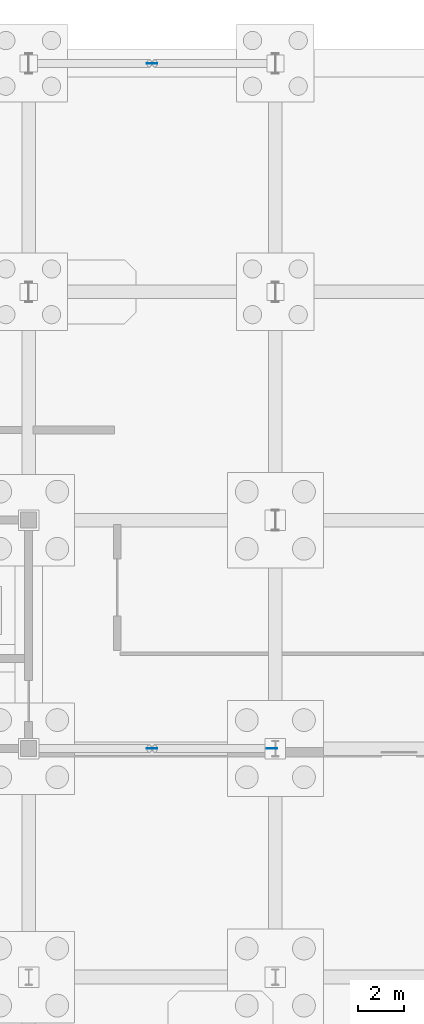
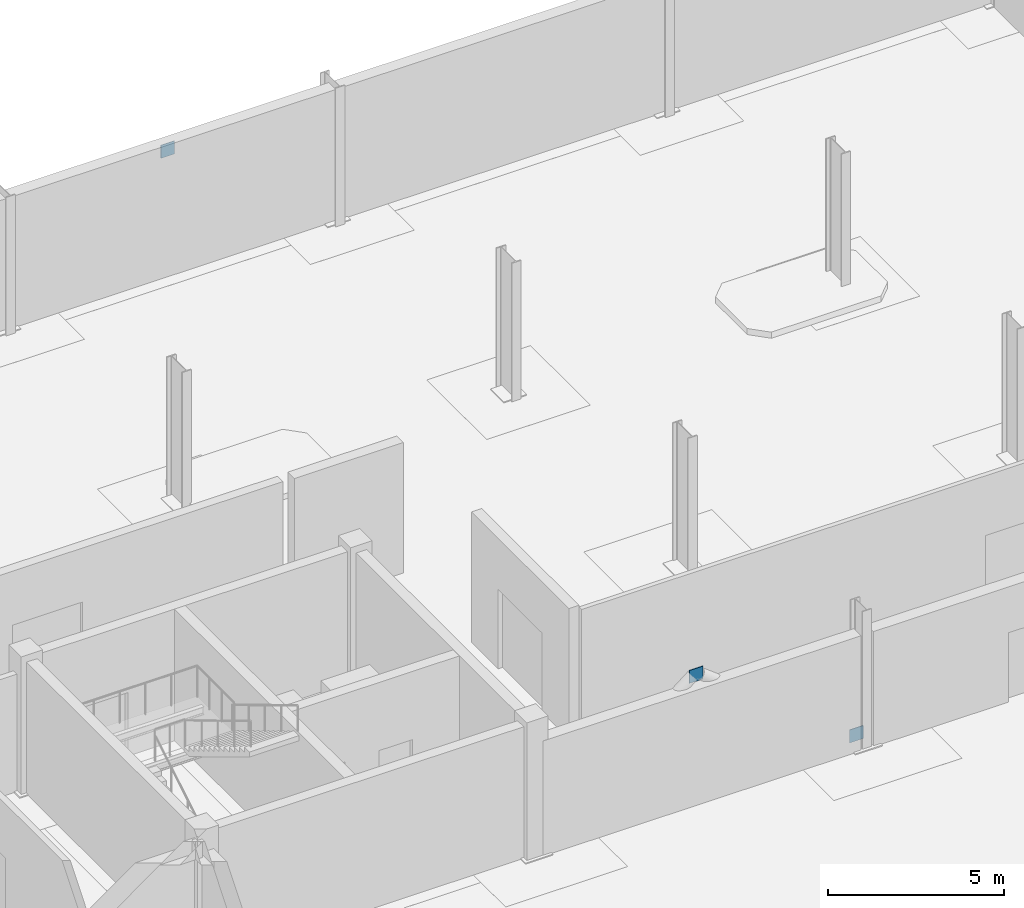
# One storey, part 49 of 73: 3 plates.
"""IFC4 building model written with IfcOpenShell, lengths in metres."""

from ifc_helpers import new_model, si_unit, direction, frame, origin, origin_2d, place, context, subcontext, project, spatial, rectangle, extrude, material, layer, layer_set, type_object, element, save


model = new_model("IFC4")

# Units and contexts
model_context = context("Model", 3, precision=1e-05, world=origin(), true_north=direction((0.0, 1.0)))
body_context = subcontext(model_context, "Body", "Model", "MODEL_VIEW")
ifc_project = project(units=[si_unit("LENGTHUNIT", "METRE"), si_unit("AREAUNIT", "SQUARE_METRE"), si_unit("VOLUMEUNIT", "CUBIC_METRE"), si_unit("PLANEANGLEUNIT", "RADIAN"), si_unit("MASSUNIT", "GRAM", prefix="KILO")], contexts=[model_context])

# Site, building, storey
site_placement = place(None, origin())
site = spatial("IfcSite", under=ifc_project, at=site_placement, CompositionType="ELEMENT")
building_placement = place(site_placement, origin())
building = spatial("IfcBuilding", under=site, at=building_placement, Name="Tasgan Crest Museum", CompositionType="ELEMENT")
storey_placement = place(building_placement, origin())
storey = spatial("IfcBuildingStorey", under=building, at=storey_placement, Name="L00", CompositionType="ELEMENT", Elevation=0.0)

# Plates
ifc_material = material(Name="Steel S355K2", Category="steel")
ifc_layer = layer(ifc_material, 0.02001953125, Name="PL-GUSSET-450")
ifc_layer_set = layer_set([ifc_layer], Name="Steel S355K2")
plate_type = type_object("IfcPlateType", Name="PL-GUSSET-450", PredefinedType="USERDEFINED", material=ifc_layer_set)
for number, where, z_axis, x_axis, name in (
    (1, (27.0, 112.0, 4.02490234375), (0.0, 0.0, 1.0), (1.0, 0.0, 0.0), "Chevron gusset plate L00 M 27.0"),
    (2, (27.0, 82.0, 4.02490234375), (0.0, 0.0, 1.0), (1.0, 0.0, 0.0), "Chevron gusset plate L00 J 27.0"),
    (3, (32.25, 82.0, 0.125), (0.0, 0.0, 1.0), (1.0, 0.0, 0.0), "Gusset plate Chevron brace R L00 J 32.4 end A"),
):
    element("IfcPlate", number, at=place(storey_placement, frame(where, z_axis=z_axis, x_axis=x_axis)), inside=storey, type_object=plate_type, Name=name, ObjectType="GUSSET PLATE", PredefinedType="USERDEFINED", context=body_context, shape_type="SweptSolid", body=[
        extrude(rectangle(XDim=0.449951171875, YDim=0.02001953125, at=origin_2d()), origin(), (0.0, 0.0, 1.0), 0.449951171875),
    ])

save(model, "model.ifc")
